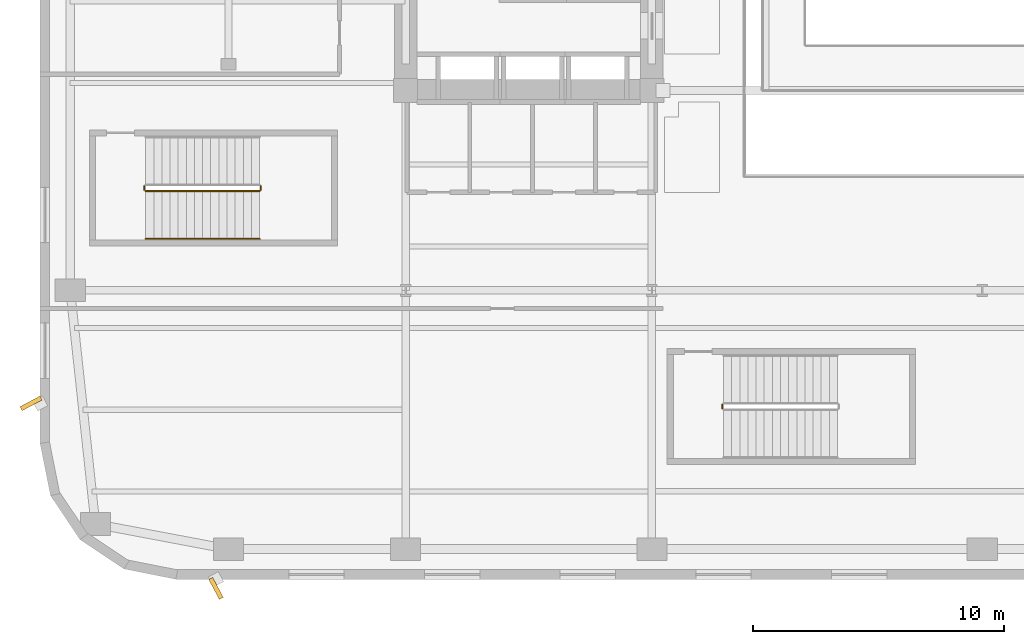
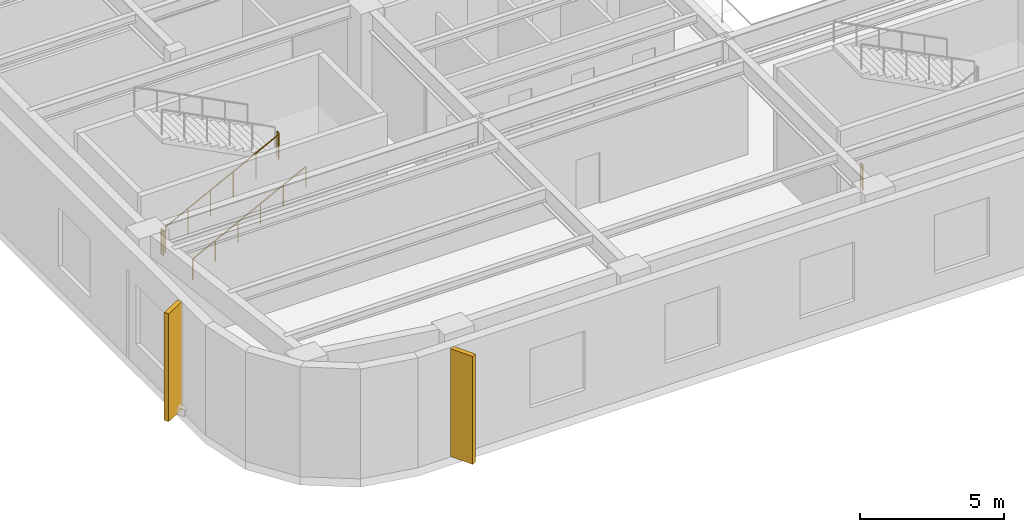
# One storey, part 12 of 21: 5 railings, 2 shading devices.
"""IFC4 building model written with IfcOpenShell, lengths in metres."""

import ifcopenshell
import ifcopenshell.guid

model = None  # the IFC model being written
_history = None  # IfcOwnerHistory: only IFC2X3 demands one
_inside = {}  # id of a spatial element -> (the spatial element, [elements in it])
_under = {}  # id of a project, library or spatial element -> (it, [spatial elements below it])
_declared = {}  # id of a project -> (the project, [libraries it declares])
_typed = {}  # id of a type object -> (the type object, [elements of that type])
_made_of = {}  # id of a material, layer set ... -> (it, [elements and type objects made of it])


def new_model(schema):
    """Start an empty IFC model of exactly this schema.

    Asked for "IFC4X3", IfcOpenShell would pick the latest addendum, in which some entities
    have other attributes; the version numbers below select the first issue.
    IFC2X3 requires an IfcOwnerHistory on every rooted entity: one is made here for all.
    """
    global model, _history
    if schema == "IFC4X3":
        model = ifcopenshell.file(schema_version=(4, 3, 0, 0))
    else:
        model = ifcopenshell.file(schema=schema)
    _inside.clear()
    _under.clear()
    _declared.clear()
    _typed.clear()
    _made_of.clear()
    _history = None
    if model.schema == "IFC2X3":
        org = make("IfcOrganization", Name="unknown")
        user = make(
            "IfcPersonAndOrganization",
            ThePerson=make("IfcPerson", FamilyName="unknown"),
            TheOrganization=org,
        )
        app = make(
            "IfcApplication",
            ApplicationDeveloper=org,
            Version="unknown",
            ApplicationFullName="unknown",
            ApplicationIdentifier="unknown",
        )
        _history = make(
            "IfcOwnerHistory",
            OwningUser=user,
            OwningApplication=app,
            ChangeAction="ADDED",
            CreationDate=0,
        )
    return model


def make(cls, **values):
    """One entity of the class cls with the attributes given. An attribute that is None is left unset."""
    return model.create_entity(
        cls, **{name: value for name, value in values.items() if value is not None}
    )


def rooted(cls, **values):
    """An entity with a GlobalId (a new one), such as an element, a storey or a relation."""
    return make(cls, GlobalId=ifcopenshell.guid.new(), OwnerHistory=_history, **values)


def si_unit(unit_type, name, prefix=None):
    """IfcSIUnit, for example si_unit("LENGTHUNIT", "METRE", prefix="MILLI")."""
    return make("IfcSIUnit", UnitType=unit_type, Prefix=prefix, Name=name)


def assignment(units):
    """IfcUnitAssignment: the units of a project."""
    return None if units is None else make("IfcUnitAssignment", Units=units)


def point(xyz):
    """IfcCartesianPoint."""
    return None if xyz is None else make("IfcCartesianPoint", Coordinates=xyz)


def direction(xyz):
    """IfcDirection."""
    return None if xyz is None else make("IfcDirection", DirectionRatios=xyz)


def frame(location, z_axis=None, x_axis=None):
    """IfcAxis2Placement3D, a coordinate frame: its origin and axes. An axis left out is left unset."""
    return make(
        "IfcAxis2Placement3D",
        Location=point(location),
        Axis=direction(z_axis),
        RefDirection=direction(x_axis),
    )


def frame_2d(location, x_axis=None):
    """IfcAxis2Placement2D, a coordinate frame in the plane: its origin and x axis."""
    return make(
        "IfcAxis2Placement2D", Location=point(location), RefDirection=direction(x_axis)
    )


def origin():
    """The frame at (0, 0, 0) with its axes left unset."""
    return frame((0.0, 0.0, 0.0))


def origin_2d():
    """The frame at (0, 0) in the plane with its x axis left unset."""
    return frame_2d((0.0, 0.0))


def place(relative_to, where):
    """IfcLocalPlacement: puts the frame where relative to a parent placement (None: the world)."""
    return make(
        "IfcLocalPlacement", PlacementRelTo=relative_to, RelativePlacement=where
    )


def context(
    kind, dimensions, precision=None, world=None, true_north=None, identifier=None
):
    """IfcGeometricRepresentationContext, for example the 3D "Model" context."""
    return make(
        "IfcGeometricRepresentationContext",
        ContextIdentifier=identifier,
        ContextType=kind,
        CoordinateSpaceDimension=dimensions,
        Precision=precision,
        WorldCoordinateSystem=world,
        TrueNorth=true_north,
    )


def subcontext(parent, identifier, kind, view, scale=None):
    """IfcGeometricRepresentationSubContext, for example "Body" below "Model"."""
    return make(
        "IfcGeometricRepresentationSubContext",
        ContextIdentifier=identifier,
        ContextType=kind,
        ParentContext=parent,
        TargetScale=scale,
        TargetView=view,
    )


def project(units=None, contexts=None):
    """IfcProject with its units and contexts."""
    return rooted(
        "IfcProject",
        Name="project",
        RepresentationContexts=contexts,
        UnitsInContext=assignment(units),
    )


def spatial(cls, under=None, at=None, **own):
    """A site, building, storey or space (cls), placed at a placement, below another one or the project."""
    s = rooted(cls, ObjectPlacement=at, **own)
    if under is not None:
        _under.setdefault(under.id(), (under, []))[1].append(s)
    return s


def profile(cls, at=None, kind="AREA", **sizes):
    """A parametric profile (cls). Its sizes go by their IFC names, for example OverallWidth=200.0."""
    return make(cls, ProfileType=kind, Position=at, **sizes)


def rectangle(**sizes):
    """IfcRectangleProfileDef."""
    return profile("IfcRectangleProfileDef", **sizes)


def circle(**sizes):
    """IfcCircleProfileDef."""
    return profile("IfcCircleProfileDef", **sizes)


def extrude(swept, where, along, depth):
    """IfcExtrudedAreaSolid: the profile swept, set in the frame where, extruded along a direction by depth."""
    return make(
        "IfcExtrudedAreaSolid",
        SweptArea=swept,
        Position=where,
        ExtrudedDirection=direction(along),
        Depth=depth,
    )


def shape(context_of_items, identifier, shape_type, items):
    """IfcShapeRepresentation: the items that make up one representation, for example the "Body"."""
    return make(
        "IfcShapeRepresentation",
        ContextOfItems=context_of_items,
        RepresentationIdentifier=identifier,
        RepresentationType=shape_type,
        Items=items,
    )


def material(Name=None, Category=None):
    """IfcMaterial."""
    return make("IfcMaterial", Name=Name, Category=Category)


def made_of(thing, what):
    """Note that an element or type object is made of a material, layer set ...; save() writes the relation."""
    if what is not None:
        _made_of.setdefault(what.id(), (what, []))[1].append(thing)
    return thing


def type_object(cls, material=None, **own):
    """A type object (cls), such as IfcWallType, which elements share."""
    return made_of(rooted(cls, **own), material)


def element(
    cls,
    number,
    at=None,
    inside=None,
    cuts=None,
    type_object=None,
    material=None,
    context=None,
    identifier="Body",
    shape_type=None,
    held_by="IfcProductDefinitionShape",
    body=None,
    shapes=None,
    **own,
):
    """One element of the class cls, such as IfcWall. Its Tag is "e" and its number.

    at: its placement. inside: the storey or other place that contains it. cuts: it is an
    opening in that element (IfcRelVoidsElement). A single representation is given by context,
    identifier, shape_type and body (its items); several are given by shapes. held_by: the class
    of the entity that holds the representations. save() writes the other relations.
    """
    e = rooted(cls, Tag="e%d" % number, ObjectPlacement=at, **own)
    if body is not None:
        shapes = [shape(context, identifier, shape_type, body)]
    if shapes is not None:
        e.Representation = make(held_by, Representations=shapes)
    if inside is not None:
        _inside.setdefault(inside.id(), (inside, []))[1].append(e)
    if cuts is not None:
        rooted(
            "IfcRelVoidsElement", RelatingBuildingElement=cuts, RelatedOpeningElement=e
        )
    if type_object is not None:
        _typed.setdefault(type_object.id(), (type_object, []))[1].append(e)
    return made_of(e, material)


def aggregate(whole, parts):
    """IfcRelAggregates: a whole, such as a stair, and the parts it consists of."""
    return rooted("IfcRelAggregates", RelatingObject=whole, RelatedObjects=parts)


def save(model, path):
    """Write the relations noted so far, then the file.

    IfcRelAggregates (storeys below a building ...), IfcRelContainedInSpatialStructure (elements
    in a storey), IfcRelDefinesByType, IfcRelAssociatesMaterial and IfcRelDeclares: one each for
    every whole, place, type object, material and project.
    """
    for whole, parts in _under.values():
        aggregate(whole, parts)
    for where, things in _inside.values():
        rooted(
            "IfcRelContainedInSpatialStructure",
            RelatedElements=things,
            RelatingStructure=where,
        )
    for kind, things in _typed.values():
        rooted("IfcRelDefinesByType", RelatedObjects=things, RelatingType=kind)
    for what, things in _made_of.values():
        rooted("IfcRelAssociatesMaterial", RelatedObjects=things, RelatingMaterial=what)
    for by, libraries in _declared.values():
        rooted("IfcRelDeclares", RelatingContext=by, RelatedDefinitions=libraries)
    model.write(path)


model = new_model("IFC4")

# Units and contexts
model_context = context("Model", 3, precision=1e-05, world=origin(), true_north=direction((0.0, 1.0)))
body_context = subcontext(model_context, "Body", "Model", "MODEL_VIEW")
ifc_project = project(units=[si_unit("LENGTHUNIT", "METRE"), si_unit("AREAUNIT", "SQUARE_METRE"), si_unit("VOLUMEUNIT", "CUBIC_METRE"), si_unit("PLANEANGLEUNIT", "RADIAN"), si_unit("MASSUNIT", "GRAM", prefix="KILO")], contexts=[model_context])

# Site, building, storey
site_placement = place(None, origin())
site = spatial("IfcSite", under=ifc_project, at=site_placement, CompositionType="ELEMENT")
building_placement = place(site_placement, origin())
building = spatial("IfcBuilding", under=site, at=building_placement, Name="Kolvaren Arena Tower", CompositionType="ELEMENT")
storey_placement = place(building_placement, frame((0.0, 0.0, 18.0)))
storey = spatial("IfcBuildingStorey", under=building, at=storey_placement, Name="L03", CompositionType="ELEMENT", Elevation=18.0)

# Railings
ifc_material_1 = material(Name="Painted galvanized steel", Category="steel")
railing_type_1 = type_object("IfcRailingType", Name="GUARD-ST-110", PredefinedType="GUARDRAIL", material=ifc_material_1)
railing_1_placement = place(storey_placement, frame((4.199951171875, 15.449951171875, 0.166748046875)))
element("IfcRailing", 1, at=railing_1_placement, inside=storey, type_object=railing_type_1, Name="L03 ST-A1 stair guard 1", PredefinedType="GUARDRAIL", context=body_context, shape_type="SweptSolid", body=[
    extrude(circle(Radius=0.02392578125, at=origin_2d()), frame((0.0, 0.0, 1.076171875), z_axis=(0.889257211316, 0.0, 0.457407490234), x_axis=(0.0, 1.0, 0.0)), (0.0, 0.0, 1.0), 5.10107421875),
    extrude(circle(Radius=0.02099609375, at=origin_2d()), origin(), (0.0, 0.0, 1.0), 1.052001953125),
    extrude(circle(Radius=0.02099609375, at=origin_2d()), frame((0.9072265625, 0.0, 0.466552734375)), (0.0, 0.0, 1.0), 1.052001953125),
    extrude(circle(Radius=0.02099609375, at=origin_2d()), frame((1.814453125, 0.0, 0.933349609375)), (0.0, 0.0, 1.0), 1.052001953125),
    extrude(circle(Radius=0.02099609375, at=origin_2d()), frame((2.7216796875, 0.0, 1.39990234375)), (0.0, 0.0, 1.0), 1.052001953125),
    extrude(circle(Radius=0.02099609375, at=origin_2d()), frame((3.62890625, 0.0, 1.86669921875)), (0.0, 0.0, 1.0), 1.052001953125),
    extrude(circle(Radius=0.02099609375, at=origin_2d()), frame((4.5361328125, 0.0, 2.333251953125)), (0.0, 0.0, 1.0), 1.052001953125),
])
for number, where, name in (
    (2, (8.785888671875, 15.5, 2.5), "L03 ST-A1 stair guard 2"),
    (3, (4.14990234375, 15.5, 0.0), "L03 ST-A1 stair guard 4"),
    (4, (27.14990234375, 6.800048828125, 0.0), "L03 ST-A2 stair guard 4"),
):
    element("IfcRailing", number, at=place(storey_placement, frame(where)), inside=storey, type_object=railing_type_1, Name=name, PredefinedType="GUARDRAIL", context=body_context, shape_type="SweptSolid", body=[
        extrude(circle(Radius=0.02392578125, at=origin_2d()), frame((0.0, 0.0, 1.076171875), z_axis=(0.0, 1.0, 0.0), x_axis=(-1.0, 0.0, 0.0)), (0.0, 0.0, 1.0), 0.14990234375),
        extrude(circle(Radius=0.02099609375, at=origin_2d()), origin(), (0.0, 0.0, 1.0), 1.052001953125),
        extrude(circle(Radius=0.02099609375, at=origin_2d()), frame((0.0, 0.14990234375, 0.0)), (0.0, 0.0, 1.0), 1.052001953125),
    ])
ifc_material_2 = material(Name="Brushed stainless steel handrail", Category="steel")
railing_type_2 = type_object("IfcRailingType", Name="HRAIL-900", PredefinedType="HANDRAIL", material=ifc_material_2)
railing_2_placement = place(storey_placement, frame((4.199951171875, 13.550048828125, 0.166748046875)))
element("IfcRailing", 5, at=railing_2_placement, inside=storey, type_object=railing_type_2, Name="L03 ST-A1 stair handrail 1", PredefinedType="HANDRAIL", context=body_context, shape_type="SweptSolid", body=[
    extrude(circle(Radius=0.02392578125, at=origin_2d()), frame((0.0, 0.0, 0.8759765625), z_axis=(0.889257211316, 0.0, 0.457407490234), x_axis=(0.0, 1.0, 0.0)), (0.0, 0.0, 1.0), 5.10107421875),
    extrude(circle(Radius=0.02099609375, at=origin_2d()), origin(), (0.0, 0.0, 1.0), 0.851806640625),
    extrude(circle(Radius=0.02099609375, at=origin_2d()), frame((0.9072265625, 0.0, 0.466552734375)), (0.0, 0.0, 1.0), 0.851806640625),
    extrude(circle(Radius=0.02099609375, at=origin_2d()), frame((1.814453125, 0.0, 0.933349609375)), (0.0, 0.0, 1.0), 0.851806640625),
    extrude(circle(Radius=0.02099609375, at=origin_2d()), frame((2.7216796875, 0.0, 1.39990234375)), (0.0, 0.0, 1.0), 0.851806640625),
    extrude(circle(Radius=0.02099609375, at=origin_2d()), frame((3.62890625, 0.0, 1.86669921875)), (0.0, 0.0, 1.0), 0.851806640625),
    extrude(circle(Radius=0.02099609375, at=origin_2d()), frame((4.5361328125, 0.0, 2.333251953125)), (0.0, 0.0, 1.0), 0.851806640625),
])

# Shading devices
ifc_material_3 = material(Name="Precast architectural concrete C50/60 rib fin", Category="concrete")
shading_device_type = type_object("IfcShadingDeviceType", Name="SHAD-FIN-28", PredefinedType="USERDEFINED", material=ifc_material_3)
for number, where, z_axis, x_axis, name in (
    (6, (-0.360107421875, 7.0, 0.02001953125), (0.0, 0.0, 1.0), (-0.882947592859, -0.469471562786, 0.0), "Arena Podium 28-Deg Precast Fin (L03)"),
    (7, (7.0, -0.360107421875, 0.02001953125), (0.0, 0.0, 1.0), (0.469471562786, -0.882947592859, 0.0), "Arena Podium 28-Deg Precast Fin (L03)"),
):
    element("IfcShadingDevice", number, at=place(storey_placement, frame(where, z_axis=z_axis, x_axis=x_axis)), inside=storey, type_object=shading_device_type, Name=name, ObjectType="FIN", PredefinedType="USERDEFINED", context=body_context, shape_type="SweptSolid", body=[
        extrude(rectangle(XDim=0.89990234375, YDim=0.179931640625, at=origin_2d()), origin(), (0.0, 0.0, 1.0), 4.570068359375),
    ])

save(model, "model.ifc")
